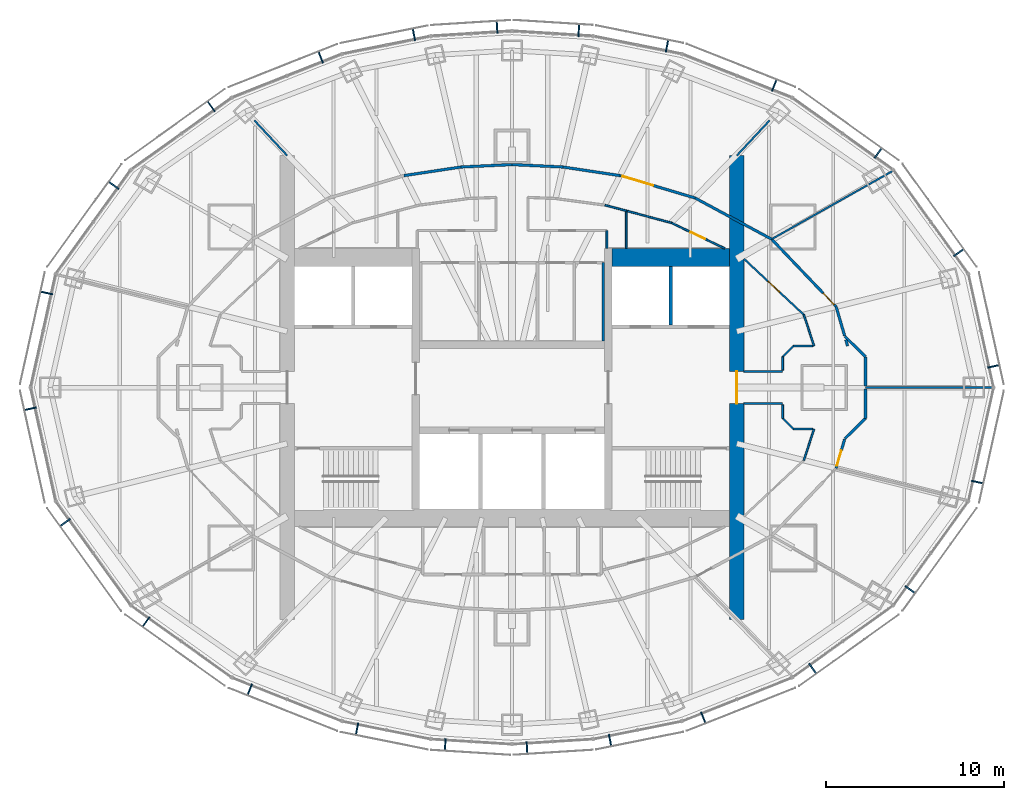
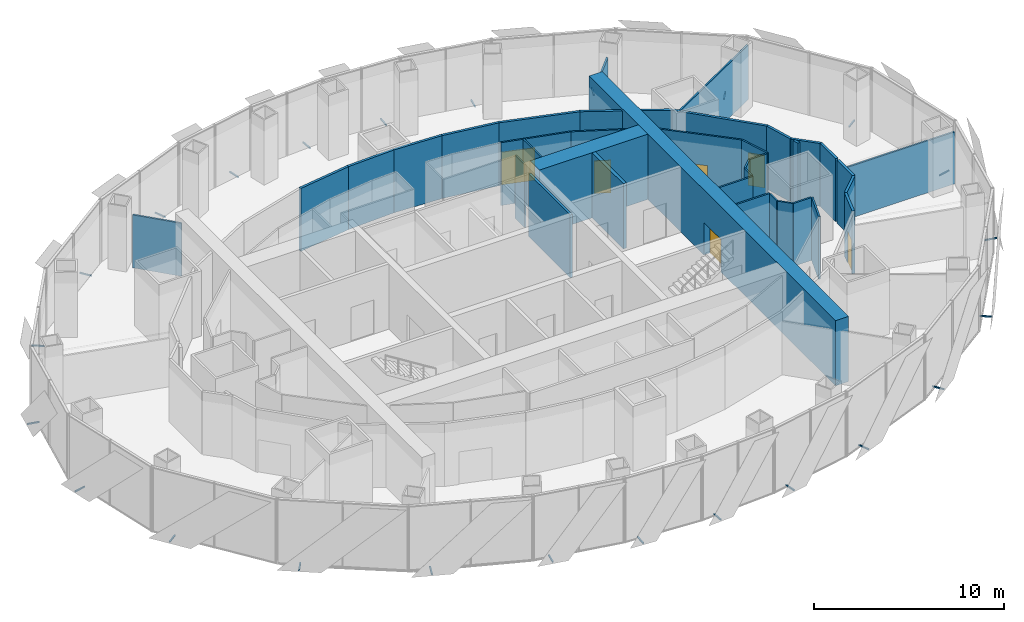
# One storey, part 14 of 17: 38 walls, 24 discrete accessories, 6 doors, 6 openings.
"""IFC4 building model written with IfcOpenShell, lengths in metres."""

from ifc_helpers import new_model, si_unit, direction, frame, frame_2d, origin, origin_2d, place, context, subcontext, project, spatial, rectangle, extrude, material, layer, layer_set, type_object, element, fill, save


model = new_model("IFC4")

# Units and contexts
model_context = context("Model", 3, precision=1e-05, world=origin(), true_north=direction((0.0, 1.0)))
body_context = subcontext(model_context, "Body", "Model", "MODEL_VIEW")
ifc_project = project(units=[si_unit("LENGTHUNIT", "METRE"), si_unit("AREAUNIT", "SQUARE_METRE"), si_unit("VOLUMEUNIT", "CUBIC_METRE"), si_unit("PLANEANGLEUNIT", "RADIAN"), si_unit("MASSUNIT", "GRAM", prefix="KILO")], contexts=[model_context])

# Site, building, storey
site_placement = place(None, origin())
site = spatial("IfcSite", under=ifc_project, at=site_placement, CompositionType="ELEMENT")
building_placement = place(site_placement, origin())
building = spatial("IfcBuilding", under=site, at=building_placement, Name="Lantaw Convention Tower", CompositionType="ELEMENT")
storey_placement = place(building_placement, frame((0.0, 0.0, 211.60009765625)))
storey = spatial("IfcBuildingStorey", under=building, at=storey_placement, Name="L49", CompositionType="ELEMENT", Elevation=211.60009765625)

# Wall
ifc_material_1 = material(Name="Concrete C60/75", Category="concrete")
ifc_layer_1 = layer(ifc_material_1, 1.0)
ifc_layer_set_1 = layer_set([ifc_layer_1], Name="Core wall 1000")
wall_type_1 = type_object("IfcWallType", Name="Core wall 1000", PredefinedType="SHEAR", material=ifc_layer_set_1)
wall_1_placement = place(storey_placement, frame((12.199951171875, 7.300048828125, 0.0), z_axis=(0.0, 0.0, 1.0), x_axis=(-1.0, 0.0, 0.0)))
element("IfcWall", 1, at=wall_1_placement, inside=storey, type_object=wall_type_1, Name="Core wall NE", PredefinedType="SHEAR", context=body_context, shape_type="SweptSolid", body=[
    extrude(rectangle(XDim=6.599853515625, YDim=1.0, at=frame_2d((3.2998046875, 0.0))), origin(), (0.0, 0.0, 1.0), 4.199951171875),
])

# Wall, opening, door
ifc_layer_2 = layer(ifc_material_1, 0.800048828125)
ifc_layer_set_2 = layer_set([ifc_layer_2], Name="Core wall 800")
wall_type_2 = type_object("IfcWallType", Name="Core wall 800", PredefinedType="SHEAR", material=ifc_layer_set_2)
wall_2_placement = place(storey_placement, frame((12.60009765625, -13.0, 0.0), z_axis=(0.0, 0.0, 1.0), x_axis=(0.0, 1.0, 0.0)))
wall_2 = element("IfcWall", 2, at=wall_2_placement, inside=storey, type_object=wall_type_2, Name="Core wall E", PredefinedType="SHEAR", context=body_context, shape_type="SweptSolid", body=[
    extrude(rectangle(XDim=26.0, YDim=0.800048828125, at=frame_2d((13.0, 0.0))), origin(), (0.0, 0.0, 1.0), 4.199951171875),
])
opening_1_placement = place(wall_2_placement, frame((12.10009765625, 0.0, 0.0)))
opening_1 = element("IfcOpeningElement", 3, at=opening_1_placement, cuts=wall_2, Name="Opening L49.05", PredefinedType="OPENING", context=body_context, shape_type="SweptSolid", body=[
    extrude(rectangle(XDim=1.800048828125, YDim=2.10009765625, at=frame_2d((0.89990234375, 1.050048828125))), frame((0.0, 0.409912109375, 0.0), z_axis=(0.0, -1.0, 0.0), x_axis=(1.0, 0.0, 0.0)), (0.0, 0.0, 1.0), 0.820068359375),
])
ifc_material_2 = material(Name="Steel, fire rated", Category="steel")
door_type_1 = type_object("IfcDoorType", Name="Lobby double door FD90", OperationType="DOUBLE_DOOR_DOUBLE_SWING", PredefinedType="DOOR", material=ifc_material_2)
door_1_placement = place(opening_1_placement, origin())
door_1 = element("IfcDoor", 4, at=door_1_placement, inside=storey, type_object=door_type_1, Name="Firefighting lobby door", OperationType="DOUBLE_DOOR_DOUBLE_SWING", OverallHeight=2.10009765625, OverallWidth=1.800048828125, PredefinedType="DOOR", context=body_context, shape_type="SweptSolid", body=[
    extrude(rectangle(XDim=1.800048828125, YDim=2.10009765625, at=frame_2d((0.89990234375, 1.050048828125))), frame((0.0, 0.02490234375, 0.0), z_axis=(0.0, -1.0, 0.0), x_axis=(1.0, 0.0, 0.0)), (0.0, 0.0, 1.0), 0.050048828125),
])
fill(opening_1, door_1)

ifc_material_3 = material(Name="Gypsum board on steel studs, fire rated", Category="steel")
ifc_layer_3 = layer(ifc_material_3, 0.14990234375)
ifc_layer_set_3 = layer_set([ifc_layer_3], Name="Corridor wall 150 EI 60")
wall_type_3 = type_object("IfcWallType", Name="Corridor wall 150 EI 60", PredefinedType="PARTITIONING", material=ifc_layer_set_3)
wall_3_placement = place(storey_placement, frame((18.173583984375, 4.53125, 0.0), z_axis=(0.0, 0.0, 1.0), x_axis=(-0.690768413292, 0.723076067366, 0.0)))
wall_3 = element("IfcWall", 5, at=wall_3_placement, inside=storey, type_object=wall_type_3, Name="Corridor wall 150", PredefinedType="PARTITIONING", context=body_context, shape_type="SweptSolid", body=[
    extrude(rectangle(XDim=5.23681640625, YDim=0.14990234375, at=frame_2d((2.618408203125, 0.0))), origin(), (0.0, 0.0, 1.0), 4.0498046875),
])
opening_2_placement = place(wall_3_placement, frame((0.14990234375, 0.0, 0.0)))
opening_2 = element("IfcOpeningElement", 6, at=opening_2_placement, cuts=wall_3, Name="Opening L49.32", PredefinedType="OPENING", context=body_context, shape_type="SweptSolid", body=[
    extrude(rectangle(XDim=0.89990234375, YDim=2.10009765625, at=frame_2d((0.449951171875, 1.050048828125))), frame((0.0, 0.0849609375, 0.0), z_axis=(0.0, -1.0, 0.0), x_axis=(1.0, 0.0, 0.0)), (0.0, 0.0, 1.0), 0.169921875),
])
door_type_2 = type_object("IfcDoorType", Name="Office door 900 FD30", OperationType="SINGLE_SWING_LEFT", PredefinedType="DOOR", material=ifc_material_2)
door_2_placement = place(opening_2_placement, origin())
door_2 = element("IfcDoor", 7, at=door_2_placement, inside=storey, type_object=door_type_2, Name="Reception door", OperationType="SINGLE_SWING_LEFT", OverallHeight=2.10009765625, OverallWidth=0.89990234375, PredefinedType="DOOR", context=body_context, shape_type="SweptSolid", body=[
    extrude(rectangle(XDim=0.89990234375, YDim=2.10009765625, at=frame_2d((0.449951171875, 1.050048828125))), frame((0.0, 0.02490234375, 0.0), z_axis=(0.0, -1.0, 0.0), x_axis=(1.0, 0.0, 0.0)), (0.0, 0.0, 1.0), 0.050048828125),
])
fill(opening_2, door_2)

# Wall
wall_4_placement = place(storey_placement, frame((14.55615234375, 8.31787109375, 0.0), z_axis=(0.0, 0.0, 1.0), x_axis=(-0.88053863253, 0.47397438393, 0.0)))
element("IfcWall", 8, at=wall_4_placement, inside=storey, type_object=wall_type_3, Name="Corridor wall 150", PredefinedType="PARTITIONING", context=body_context, shape_type="SweptSolid", body=[
    extrude(rectangle(XDim=4.874755859375, YDim=0.14990234375, at=frame_2d((2.4375, 0.0))), origin(), (0.0, 0.0, 1.0), 4.0498046875),
])

# Wall, opening, door
wall_5_placement = place(storey_placement, frame((10.263671875, 10.62841796875, 0.0), z_axis=(0.0, 0.0, 1.0), x_axis=(-0.958384389306, 0.285480931648, 0.0)))
wall_5 = element("IfcWall", 9, at=wall_5_placement, inside=storey, type_object=wall_type_3, Name="Corridor wall 150", PredefinedType="PARTITIONING", context=body_context, shape_type="SweptSolid", body=[
    extrude(rectangle(XDim=4.392333984375, YDim=0.14990234375, at=frame_2d((2.1962890625, 0.0))), origin(), (0.0, 0.0, 1.0), 4.0498046875),
])
opening_3_placement = place(wall_5_placement, frame((2.442138671875, 0.0, 0.0)))
opening_3 = element("IfcOpeningElement", 10, at=opening_3_placement, cuts=wall_5, Name="Opening L49.33", PredefinedType="OPENING", context=body_context, shape_type="SweptSolid", body=[
    extrude(rectangle(XDim=1.800048828125, YDim=2.10009765625, at=frame_2d((0.89990234375, 1.050048828125))), frame((0.0, 0.0849609375, 0.0), z_axis=(0.0, -1.0, 0.0), x_axis=(1.0, 0.0, 0.0)), (0.0, 0.0, 1.0), 0.169921875),
])
door_type_3 = type_object("IfcDoorType", Name="Office double door 1800 FD30", OperationType="DOUBLE_DOOR_DOUBLE_SWING", PredefinedType="DOOR", material=ifc_material_2)
door_3_placement = place(opening_3_placement, origin())
door_3 = element("IfcDoor", 11, at=door_3_placement, inside=storey, type_object=door_type_3, Name="Open office door", OperationType="DOUBLE_DOOR_DOUBLE_SWING", OverallHeight=2.10009765625, OverallWidth=1.800048828125, PredefinedType="DOOR", context=body_context, shape_type="SweptSolid", body=[
    extrude(rectangle(XDim=1.800048828125, YDim=2.10009765625, at=frame_2d((0.89990234375, 1.050048828125))), frame((0.0, 0.02490234375, 0.0), z_axis=(0.0, -1.0, 0.0), x_axis=(1.0, 0.0, 0.0)), (0.0, 0.0, 1.0), 0.050048828125),
])
fill(opening_3, door_3)

# Walls
wall_6_placement = place(storey_placement, frame((6.05419921875, 11.88232421875, 0.0), z_axis=(0.0, 0.0, 1.0), x_axis=(-0.988800347251, 0.149244340852, 0.0)))
element("IfcWall", 12, at=wall_6_placement, inside=storey, type_object=wall_type_3, Name="Corridor wall 150", PredefinedType="PARTITIONING", context=body_context, shape_type="SweptSolid", body=[
    extrude(rectangle(XDim=3.235595703125, YDim=0.14990234375, at=frame_2d((1.61767578125, 0.0))), origin(), (0.0, 0.0, 1.0), 4.0498046875),
])
for number, where, z_axis, x_axis, name in (
    (13, (2.854736328125, 12.365234375, 0.0), (0.0, 0.0, 1.0), (-0.998887574055, 0.047155216016, 0.0), "Corridor wall 150"),
    (14, (0.0, 12.5, 0.0), (0.0, 0.0, 1.0), (-0.998887574055, -0.047155216016, 0.0), "Corridor wall 150"),
):
    element("IfcWall", number, at=place(storey_placement, frame(where, z_axis=z_axis, x_axis=x_axis)), inside=storey, type_object=wall_type_3, Name=name, PredefinedType="PARTITIONING", context=body_context, shape_type="SweptSolid", body=[
        extrude(rectangle(XDim=2.85791015625, YDim=0.14990234375, at=frame_2d((1.428955078125, 0.0))), origin(), (0.0, 0.0, 1.0), 4.0498046875),
    ])
wall_7_placement = place(storey_placement, frame((-2.854736328125, 12.365234375, 0.0), z_axis=(0.0, 0.0, 1.0), x_axis=(-0.988800347251, -0.149244340852, 0.0)))
element("IfcWall", 15, at=wall_7_placement, inside=storey, type_object=wall_type_3, Name="Corridor wall 150", PredefinedType="PARTITIONING", context=body_context, shape_type="SweptSolid", body=[
    extrude(rectangle(XDim=3.235595703125, YDim=0.14990234375, at=frame_2d((1.61767578125, 0.0))), origin(), (0.0, 0.0, 1.0), 4.0498046875),
])
wall_8_placement = place(storey_placement, frame((18.653076171875, 2.893798828125, 0.0), z_axis=(0.0, 0.0, 1.0), x_axis=(-0.281027335084, 0.959699763955, 0.0)))
element("IfcWall", 16, at=wall_8_placement, inside=storey, type_object=wall_type_3, Name="Corridor wall 150", PredefinedType="PARTITIONING", context=body_context, shape_type="SweptSolid", body=[
    extrude(rectangle(XDim=1.706298828125, YDim=0.14990234375, at=frame_2d((0.85302734375, 0.0))), origin(), (0.0, 0.0, 1.0), 4.0498046875),
])

# Wall, opening, door
wall_9_placement = place(storey_placement, frame((18.173583984375, -4.53125, 0.0), z_axis=(0.0, 0.0, 1.0), x_axis=(0.281027335084, 0.959699763955, 0.0)))
wall_9 = element("IfcWall", 17, at=wall_9_placement, inside=storey, type_object=wall_type_3, Name="Corridor wall 150", PredefinedType="PARTITIONING", context=body_context, shape_type="SweptSolid", body=[
    extrude(rectangle(XDim=1.706298828125, YDim=0.14990234375, at=frame_2d((0.85302734375, 0.0))), origin(), (0.0, 0.0, 1.0), 4.0498046875),
])
opening_4_placement = place(wall_9_placement, frame((0.14990234375, 0.0, 0.0)))
opening_4 = element("IfcOpeningElement", 18, at=opening_4_placement, cuts=wall_9, Name="Opening L49.38", PredefinedType="OPENING", context=body_context, shape_type="SweptSolid", body=[
    extrude(rectangle(XDim=0.89990234375, YDim=2.10009765625, at=frame_2d((0.449951171875, 1.050048828125))), frame((0.0, 0.0849609375, 0.0), z_axis=(0.0, -1.0, 0.0), x_axis=(1.0, 0.0, 0.0)), (0.0, 0.0, 1.0), 0.169921875),
])
door_4_placement = place(opening_4_placement, origin())
door_4 = element("IfcDoor", 19, at=door_4_placement, inside=storey, type_object=door_type_2, Name="Meeting room door", OperationType="SINGLE_SWING_LEFT", OverallHeight=2.10009765625, OverallWidth=0.89990234375, PredefinedType="DOOR", context=body_context, shape_type="SweptSolid", body=[
    extrude(rectangle(XDim=0.89990234375, YDim=2.10009765625, at=frame_2d((0.449951171875, 1.050048828125))), frame((0.0, 0.02490234375, 0.0), z_axis=(0.0, -1.0, 0.0), x_axis=(1.0, 0.0, 0.0)), (0.0, 0.0, 1.0), 0.050048828125),
])
fill(opening_4, door_4)

# Walls
wall_10_placement = place(storey_placement, frame((18.666259765625, 2.866455078125, 0.0), z_axis=(0.0, 0.0, 1.0), x_axis=(0.712265481509, -0.701910167935, 0.0)))
element("IfcWall", 20, at=wall_10_placement, inside=storey, type_object=wall_type_3, Name="Corridor wall 150", PredefinedType="PARTITIONING", context=body_context, shape_type="SweptSolid", body=[
    extrude(rectangle(XDim=1.626708984375, YDim=0.14990234375, at=frame_2d((0.8134765625, 0.0))), origin(), (0.0, 0.0, 1.0), 4.0498046875),
])
for number, where, z_axis, x_axis, name in (
    (21, (19.824951171875, 1.724609375, 0.0), (0.0, 0.0, 1.0), (0.0, -1.0, 0.0), "Corridor wall 150"),
    (22, (19.824951171875, -0.078125, 0.0), (0.0, 0.0, 1.0), (0.0, -1.0, 0.0), "Corridor wall 150"),
):
    element("IfcWall", number, at=place(storey_placement, frame(where, z_axis=z_axis, x_axis=x_axis)), inside=storey, type_object=wall_type_3, Name=name, PredefinedType="PARTITIONING", context=body_context, shape_type="SweptSolid", body=[
        extrude(rectangle(XDim=1.646484375, YDim=0.14990234375, at=frame_2d((0.8232421875, 0.0))), origin(), (0.0, 0.0, 1.0), 4.0498046875),
    ])
wall_11_placement = place(storey_placement, frame((19.824951171875, -1.724609375, 0.0), z_axis=(0.0, 0.0, 1.0), x_axis=(-0.712265481509, -0.701910167935, 0.0)))
element("IfcWall", 23, at=wall_11_placement, inside=storey, type_object=wall_type_3, Name="Corridor wall 150", PredefinedType="PARTITIONING", context=body_context, shape_type="SweptSolid", body=[
    extrude(rectangle(XDim=1.626708984375, YDim=0.14990234375, at=frame_2d((0.8134765625, 0.0))), origin(), (0.0, 0.0, 1.0), 4.0498046875),
])
wall_12_placement = place(storey_placement, frame((18.819580078125, 2.324951171875, 0.0), z_axis=(0.0, 0.0, 1.0), x_axis=(-0.281366391393, 0.959600413607, 0.0)))
element("IfcWall", 24, at=wall_12_placement, inside=storey, type_object=wall_type_3, Name="Corridor wall 150", PredefinedType="PARTITIONING", context=body_context, shape_type="SweptSolid", body=[
    extrude(rectangle(XDim=0.363525390625, YDim=0.14990234375, at=frame_2d((0.181640625, 0.0))), origin(), (0.0, 0.0, 1.0), 4.0498046875),
])
ifc_material_4 = material(Name="Gypsum board on steel studs, acoustic", Category="steel")
ifc_layer_4 = layer(ifc_material_4, 0.10009765625)
ifc_layer_set_4 = layer_set([ifc_layer_4], Name="Office partition 100")
wall_type_4 = type_object("IfcWallType", Name="Office partition 100", PredefinedType="PARTITIONING", material=ifc_layer_set_4)
wall_13_placement = place(storey_placement, frame((21.3583984375, 12.149658203125, 0.0), z_axis=(0.0, 0.0, 1.0), x_axis=(-0.871273053995, -0.490798599614, 0.0)))
element("IfcWall", 25, at=wall_13_placement, inside=storey, type_object=wall_type_4, Name="Office partition 100", PredefinedType="PARTITIONING", context=body_context, shape_type="SweptSolid", body=[
    extrude(rectangle(XDim=7.80712890625, YDim=0.10009765625, at=frame_2d((3.903564453125, 0.0))), origin(), (0.0, 0.0, 1.0), 3.524169921875),
])

# Wall, opening, door
wall_14_placement = place(storey_placement, frame((13.0, 7.22216796875, 0.0), z_axis=(0.0, 0.0, 1.0), x_axis=(0.730651186567, -0.682750938167, 0.0)))
wall_14 = element("IfcWall", 26, at=wall_14_placement, inside=storey, type_object=wall_type_4, Name="Office partition 100", PredefinedType="PARTITIONING", context=body_context, shape_type="SweptSolid", body=[
    extrude(rectangle(XDim=4.6025390625, YDim=0.10009765625, at=frame_2d((2.30126953125, 0.0))), origin(), (0.0, 0.0, 1.0), 4.0498046875),
])
opening_5_placement = place(wall_14_placement, frame((1.851318359375, 0.0, 0.0)))
opening_5 = element("IfcOpeningElement", 27, at=opening_5_placement, cuts=wall_14, Name="Opening L49.26", PredefinedType="OPENING", context=body_context, shape_type="SweptSolid", body=[
    extrude(rectangle(XDim=0.89990234375, YDim=2.10009765625, at=frame_2d((0.449951171875, 1.050048828125))), frame((0.0, 0.06005859375, 0.0), z_axis=(0.0, -1.0, 0.0), x_axis=(1.0, 0.0, 0.0)), (0.0, 0.0, 1.0), 0.1201171875),
])
ifc_material_5 = material(Name="Timber", Category="wood")
door_type_4 = type_object("IfcDoorType", Name="Office door 900", OperationType="SINGLE_SWING_LEFT", PredefinedType="DOOR", material=ifc_material_5)
door_5_placement = place(opening_5_placement, origin())
door_5 = element("IfcDoor", 28, at=door_5_placement, inside=storey, type_object=door_type_4, Name="Copy and print room door", OperationType="SINGLE_SWING_LEFT", OverallHeight=2.10009765625, OverallWidth=0.89990234375, PredefinedType="DOOR", context=body_context, shape_type="SweptSolid", body=[
    extrude(rectangle(XDim=0.89990234375, YDim=2.10009765625, at=frame_2d((0.449951171875, 1.050048828125))), frame((0.0, 0.02490234375, 0.0), z_axis=(0.0, -1.0, 0.0), x_axis=(1.0, 0.0, 0.0)), (0.0, 0.0, 1.0), 0.050048828125),
])
fill(opening_5, door_5)

# Walls
wall_15_placement = place(storey_placement, frame((5.21044921875, 10.225830078125, 0.0), z_axis=(0.0, 0.0, 1.0), x_axis=(0.966534683979, -0.256535971486, 0.0)))
element("IfcWall", 29, at=wall_15_placement, inside=storey, type_object=wall_type_4, Name="Office partition 100", PredefinedType="PARTITIONING", context=body_context, shape_type="SweptSolid", body=[
    extrude(rectangle(XDim=1.240966796875, YDim=0.10009765625, at=frame_2d((0.62060546875, 0.0))), origin(), (0.0, 0.0, 1.0), 4.0498046875),
])
wall_16_placement = place(storey_placement, frame((6.409912109375, 9.907470703125, 0.0), z_axis=(0.0, 0.0, 1.0), x_axis=(0.0, -1.0, 0.0)))
element("IfcWall", 30, at=wall_16_placement, inside=storey, type_object=wall_type_4, Name="Office partition 100", PredefinedType="PARTITIONING", context=body_context, shape_type="SweptSolid", body=[
    extrude(rectangle(XDim=2.107421875, YDim=0.10009765625, at=frame_2d((1.0537109375, 0.0))), origin(), (0.0, 0.0, 1.0), 4.0498046875),
])
wall_17_placement = place(storey_placement, frame((5.320068359375, 7.800048828125, 0.0), z_axis=(0.0, 0.0, 1.0), x_axis=(0.0, 1.0, 0.0)))
element("IfcWall", 31, at=wall_17_placement, inside=storey, type_object=wall_type_4, Name="Office partition 100", PredefinedType="PARTITIONING", context=body_context, shape_type="SweptSolid", body=[
    extrude(rectangle(XDim=1.0, YDim=0.10009765625, at=frame_2d((0.5, 0.0))), origin(), (0.0, 0.0, 1.0), 4.0498046875),
])

# Wall, opening, door
wall_18_placement = place(storey_placement, frame((8.923583984375, 9.24072265625, 0.0), z_axis=(0.0, 0.0, 1.0), x_axis=(0.901553947207, -0.432666708073, 0.0)))
wall_18 = element("IfcWall", 32, at=wall_18_placement, inside=storey, type_object=wall_type_4, Name="Office partition 100", PredefinedType="PARTITIONING", context=body_context, shape_type="SweptSolid", body=[
    extrude(rectangle(XDim=3.329833984375, YDim=0.10009765625, at=frame_2d((1.6650390625, 0.0))), origin(), (0.0, 0.0, 1.0), 4.0498046875),
])
opening_6_placement = place(wall_18_placement, frame((1.21484375, 0.0, 0.0)))
opening_6 = element("IfcOpeningElement", 33, at=opening_6_placement, cuts=wall_18, Name="Opening L49.28", PredefinedType="OPENING", context=body_context, shape_type="SweptSolid", body=[
    extrude(rectangle(XDim=0.89990234375, YDim=2.10009765625, at=frame_2d((0.449951171875, 1.050048828125))), frame((0.0, 0.06005859375, 0.0), z_axis=(0.0, -1.0, 0.0), x_axis=(1.0, 0.0, 0.0)), (0.0, 0.0, 1.0), 0.1201171875),
])
door_6_placement = place(opening_6_placement, origin())
door_6 = element("IfcDoor", 34, at=door_6_placement, inside=storey, type_object=door_type_4, Name="Meeting room door", OperationType="SINGLE_SWING_LEFT", OverallHeight=2.10009765625, OverallWidth=0.89990234375, PredefinedType="DOOR", context=body_context, shape_type="SweptSolid", body=[
    extrude(rectangle(XDim=0.89990234375, YDim=2.10009765625, at=frame_2d((0.449951171875, 1.050048828125))), frame((0.0, 0.02490234375, 0.0), z_axis=(0.0, -1.0, 0.0), x_axis=(1.0, 0.0, 0.0)), (0.0, 0.0, 1.0), 0.050048828125),
])
fill(opening_6, door_6)

# Walls
wall_19_placement = place(storey_placement, frame((6.409912109375, 9.907470703125, 0.0), z_axis=(0.0, 0.0, 1.0), x_axis=(0.966575327783, -0.256382791392, 0.0)))
element("IfcWall", 35, at=wall_19_placement, inside=storey, type_object=wall_type_4, Name="Office partition 100", PredefinedType="PARTITIONING", context=body_context, shape_type="SweptSolid", body=[
    extrude(rectangle(XDim=2.6005859375, YDim=0.10009765625, at=frame_2d((1.30029296875, 0.0))), origin(), (0.0, 0.0, 1.0), 4.0498046875),
])
for number, where, z_axis, x_axis, name in (
    (36, (12.60009765625, 13.0, 0.0), (0.0, 0.0, 1.0), (0.682434118301, 0.730947107648, 0.0), "Office partition 100"),
    (37, (-12.60009765625, 13.0, 0.0), (0.0, 0.0, 1.0), (-0.682434118301, 0.730947107648, 0.0), "Office partition 100"),
):
    element("IfcWall", number, at=place(storey_placement, frame(where, z_axis=z_axis, x_axis=x_axis)), inside=storey, type_object=wall_type_4, Name=name, PredefinedType="PARTITIONING", context=body_context, shape_type="SweptSolid", body=[
        extrude(rectangle(XDim=2.702392578125, YDim=0.10009765625, at=frame_2d((1.35107421875, 0.0))), origin(), (0.0, 0.0, 1.0), 3.409912109375),
    ])
wall_20_placement = place(storey_placement, frame((26.944091796875, 0.0, 0.0), z_axis=(0.0, 0.0, 1.0), x_axis=(-1.0, 0.0, 0.0)))
element("IfcWall", 38, at=wall_20_placement, inside=storey, type_object=wall_type_4, Name="Office partition 100", PredefinedType="PARTITIONING", context=body_context, shape_type="SweptSolid", body=[
    extrude(rectangle(XDim=7.109130859375, YDim=0.10009765625, at=frame_2d((3.5546875, 0.0))), origin(), (0.0, 0.0, 1.0), 3.348876953125),
])
wall_21_placement = place(storey_placement, frame((13.0, -0.89990234375, 0.0), z_axis=(0.0, 0.0, 1.0), x_axis=(1.0, 0.0, 0.0)))
element("IfcWall", 39, at=wall_21_placement, inside=storey, type_object=wall_type_4, Name="Office partition 100", PredefinedType="PARTITIONING", context=body_context, shape_type="SweptSolid", body=[
    extrude(rectangle(XDim=2.1650390625, YDim=0.10009765625, at=frame_2d((1.08251953125, 0.0))), origin(), (0.0, 0.0, 1.0), 4.0498046875),
])
for number, where, z_axis, x_axis, name in (
    (40, (16.934814453125, -2.3349609375, 0.0), (0.0, 0.0, 1.0), (-0.311517212063, -0.950240509865, 0.0), "Office partition 100"),
    (41, (16.36279296875, 4.079833984375, 0.0), (0.0, 0.0, 1.0), (0.311517212063, -0.950240509865, 0.0), "Office partition 100"),
):
    element("IfcWall", number, at=place(storey_placement, frame(where, z_axis=z_axis, x_axis=x_axis)), inside=storey, type_object=wall_type_4, Name=name, PredefinedType="PARTITIONING", context=body_context, shape_type="SweptSolid", body=[
        extrude(rectangle(XDim=1.836181640625, YDim=0.10009765625, at=frame_2d((0.91796875, 0.0))), origin(), (0.0, 0.0, 1.0), 4.0498046875),
    ])
wall_22_placement = place(storey_placement, frame((15.1650390625, 0.89990234375, 0.0), z_axis=(0.0, 0.0, 1.0), x_axis=(-1.0, 0.0, 0.0)))
element("IfcWall", 42, at=wall_22_placement, inside=storey, type_object=wall_type_4, Name="Office partition 100", PredefinedType="PARTITIONING", context=body_context, shape_type="SweptSolid", body=[
    extrude(rectangle(XDim=2.1650390625, YDim=0.10009765625, at=frame_2d((1.08251953125, 0.0))), origin(), (0.0, 0.0, 1.0), 4.0498046875),
])
wall_23_placement = place(storey_placement, frame((16.853759765625, -2.324951171875, 0.0), z_axis=(0.0, 0.0, 1.0), x_axis=(-1.0, 0.0, 0.0)))
element("IfcWall", 43, at=wall_23_placement, inside=storey, type_object=wall_type_4, Name="Office partition 100", PredefinedType="PARTITIONING", context=body_context, shape_type="SweptSolid", body=[
    extrude(rectangle(XDim=1.078369140625, YDim=0.10009765625, at=frame_2d((0.5390625, 0.0))), origin(), (0.0, 0.0, 1.0), 4.0498046875),
])
wall_24_placement = place(storey_placement, frame((15.775390625, -2.324951171875, 0.0), z_axis=(0.0, 0.0, 1.0), x_axis=(-0.707106781187, 0.707106781187, 0.0)))
element("IfcWall", 44, at=wall_24_placement, inside=storey, type_object=wall_type_4, Name="Office partition 100", PredefinedType="PARTITIONING", context=body_context, shape_type="SweptSolid", body=[
    extrude(rectangle(XDim=0.84912109375, YDim=0.10009765625, at=frame_2d((0.424560546875, 0.0))), origin(), (0.0, 0.0, 1.0), 4.0498046875),
])
for number, where, z_axis, x_axis, name in (
    (45, (15.175048828125, -1.724609375, 0.0), (0.0, 0.0, 1.0), (0.0, 1.0, 0.0), "Office partition 100"),
    (46, (15.175048828125, 0.978271484375, 0.0), (0.0, 0.0, 1.0), (0.0, 1.0, 0.0), "Office partition 100"),
):
    element("IfcWall", number, at=place(storey_placement, frame(where, z_axis=z_axis, x_axis=x_axis)), inside=storey, type_object=wall_type_4, Name=name, PredefinedType="PARTITIONING", context=body_context, shape_type="SweptSolid", body=[
        extrude(rectangle(XDim=0.746337890625, YDim=0.10009765625, at=frame_2d((0.373046875, 0.0))), origin(), (0.0, 0.0, 1.0), 4.0498046875),
    ])
wall_25_placement = place(storey_placement, frame((15.175048828125, 1.724609375, 0.0), z_axis=(0.0, 0.0, 1.0), x_axis=(0.707106781187, 0.707106781187, 0.0)))
element("IfcWall", 47, at=wall_25_placement, inside=storey, type_object=wall_type_4, Name="Office partition 100", PredefinedType="PARTITIONING", context=body_context, shape_type="SweptSolid", body=[
    extrude(rectangle(XDim=0.84912109375, YDim=0.10009765625, at=frame_2d((0.424560546875, 0.0))), origin(), (0.0, 0.0, 1.0), 4.0498046875),
])
wall_26_placement = place(storey_placement, frame((15.775390625, 2.324951171875, 0.0), z_axis=(0.0, 0.0, 1.0), x_axis=(1.0, 0.0, 0.0)))
element("IfcWall", 48, at=wall_26_placement, inside=storey, type_object=wall_type_4, Name="Office partition 100", PredefinedType="PARTITIONING", context=body_context, shape_type="SweptSolid", body=[
    extrude(rectangle(XDim=1.078369140625, YDim=0.10009765625, at=frame_2d((0.5390625, 0.0))), origin(), (0.0, 0.0, 1.0), 4.0498046875),
])
ifc_material_6 = material(Name="Concrete blockwork, fire rated", Category="masonry")
ifc_layer_5 = layer(ifc_material_6, 0.199951171875)
ifc_layer_set_5 = layer_set([ifc_layer_5], Name="Shaft wall 200")
wall_type_5 = type_object("IfcWallType", Name="Shaft wall 200", PredefinedType="SOLIDWALL", material=ifc_layer_set_5)
wall_27_placement = place(storey_placement, frame((8.89990234375, 3.5, 0.0), z_axis=(0.0, 0.0, 1.0), x_axis=(0.0, 1.0, 0.0)))
element("IfcWall", 49, at=wall_27_placement, inside=storey, type_object=wall_type_5, Name="Shaft wall ED", PredefinedType="SOLIDWALL", context=body_context, shape_type="SweptSolid", body=[
    extrude(rectangle(XDim=3.300048828125, YDim=0.199951171875, at=frame_2d((1.64990234375, 0.0))), origin(), (0.0, 0.0, 1.0), 4.199951171875),
])
ifc_material_7 = material(Name="Concrete blockwork", Category="masonry")
ifc_layer_6 = layer(ifc_material_7, 0.14990234375)
ifc_layer_set_6 = layer_set([ifc_layer_6], Name="WC wall 150")
wall_type_6 = type_object("IfcWallType", Name="WC wall 150", PredefinedType="SOLIDWALL", material=ifc_layer_set_6)
wall_28_placement = place(storey_placement, frame((5.1201171875, 2.60009765625, 0.0), z_axis=(0.0, 0.0, 1.0), x_axis=(0.0, 1.0, 0.0)))
element("IfcWall", 50, at=wall_28_placement, inside=storey, type_object=wall_type_6, Name="WC wall 150", PredefinedType="SOLIDWALL", context=body_context, shape_type="SweptSolid", body=[
    extrude(rectangle(XDim=4.39990234375, YDim=0.14990234375, at=frame_2d((2.199951171875, 0.0))), origin(), (0.0, 0.0, 1.0), 4.0498046875),
])

# Discrete accessories
for number, where, z_axis, x_axis, name in (
    (51, (27.002197265625, 1.189453125, -0.115234375), (0.0, 0.0, 1.0), (-0.215891333626, 0.976417396437, 0.0), "Screen bracket"),
    (52, (25.05419921875, 7.564453125, -0.115234375), (0.0, 0.0, 1.0), (-0.585157643865, 0.810919559405, 0.0), "Screen bracket"),
    (53, (20.524169921875, 13.14453125, -0.115234375), (0.0, 0.0, 1.0), (-0.813672540482, 0.581323487281, 0.0), "Screen bracket"),
    (54, (14.707763671875, 16.94140625, -0.115234375), (0.0, 0.0, 1.0), (-0.929761533743, 0.368162315252, 0.0), "Screen bracket"),
    (55, (8.68896484375, 19.145751953125, -0.115234375), (0.0, 0.0, 1.0), (-0.980366679695, 0.197183095987, 0.0), "Screen bracket"),
    (56, (3.743896484375, 20.024169921875, -0.115234375), (0.0, 0.0, 1.0), (-0.998028774865, 0.062757983884, 0.0), "Screen bracket"),
    (57, (-0.83984375, 20.206787109375, -0.115234375), (0.0, 0.0, 1.0), (-0.998028774865, -0.062757983884, 0.0), "Screen bracket"),
    (58, (-5.49853515625, 19.78759765625, -0.115234375), (0.0, 0.0, 1.0), (-0.980366679695, -0.197183095987, 0.0), "Screen bracket"),
    (59, (-10.7255859375, 18.518310546875, -0.115234375), (0.0, 0.0, 1.0), (-0.929761533743, -0.368162315252, 0.0), "Screen bracket"),
    (60, (-16.863525390625, 15.759765625, -0.115234375), (0.0, 0.0, 1.0), (-0.813672540482, -0.581323487281, 0.0), "Screen bracket"),
    (61, (-22.333251953125, 11.3349609375, -0.115234375), (0.0, 0.0, 1.0), (-0.585157643865, -0.810919559405, 0.0), "Screen bracket"),
    (62, (-26.0927734375, 5.302490234375, -0.115234375), (0.0, 0.0, 1.0), (-0.215891333626, -0.976417396437, 0.0), "Screen bracket"),
    (63, (-27.002197265625, -1.189453125, -0.115234375), (0.0, 0.0, 1.0), (0.215891333626, -0.976417396437, 0.0), "Screen bracket"),
    (64, (-25.05419921875, -7.564453125, -0.115234375), (0.0, 0.0, 1.0), (0.585157643865, -0.810919559405, 0.0), "Screen bracket"),
    (65, (-20.524169921875, -13.14453125, -0.115234375), (0.0, 0.0, 1.0), (0.813672540482, -0.581323487281, 0.0), "Screen bracket"),
    (66, (-14.707763671875, -16.94140625, -0.115234375), (0.0, 0.0, 1.0), (0.929761533743, -0.368162315252, 0.0), "Screen bracket"),
    (67, (-8.68896484375, -19.145751953125, -0.115234375), (0.0, 0.0, 1.0), (0.980366679695, -0.197183095987, 0.0), "Screen bracket"),
    (68, (-3.743896484375, -20.024169921875, -0.115234375), (0.0, 0.0, 1.0), (0.998028774865, -0.062757983884, 0.0), "Screen bracket"),
    (69, (0.83984375, -20.206787109375, -0.115234375), (0.0, 0.0, 1.0), (0.998028774865, 0.062757983884, 0.0), "Screen bracket"),
    (70, (5.49853515625, -19.78759765625, -0.115234375), (0.0, 0.0, 1.0), (0.980366679695, 0.197183095987, 0.0), "Screen bracket"),
    (71, (10.7255859375, -18.518310546875, -0.115234375), (0.0, 0.0, 1.0), (0.929761533743, 0.368162315252, 0.0), "Screen bracket"),
    (72, (16.863525390625, -15.759765625, -0.115234375), (0.0, 0.0, 1.0), (0.813672540482, 0.581323487281, 0.0), "Screen bracket"),
    (73, (22.333251953125, -11.3349609375, -0.115234375), (0.0, 0.0, 1.0), (0.585157643865, 0.810919559405, 0.0), "Screen bracket"),
    (74, (26.0927734375, -5.302490234375, -0.115234375), (0.0, 0.0, 1.0), (0.215891333626, 0.976417396437, 0.0), "Screen bracket"),
):
    element("IfcDiscreteAccessory", number, at=place(storey_placement, frame(where, z_axis=z_axis, x_axis=x_axis)), inside=storey, Name=name, PredefinedType="BRACKET", context=body_context, shape_type="SweptSolid", body=[
        extrude(rectangle(XDim=0.080078125, YDim=0.68798828125, at=origin_2d()), origin(), (0.0, 0.0, 1.0), 0.080078125),
    ])

save(model, "model.ifc")
